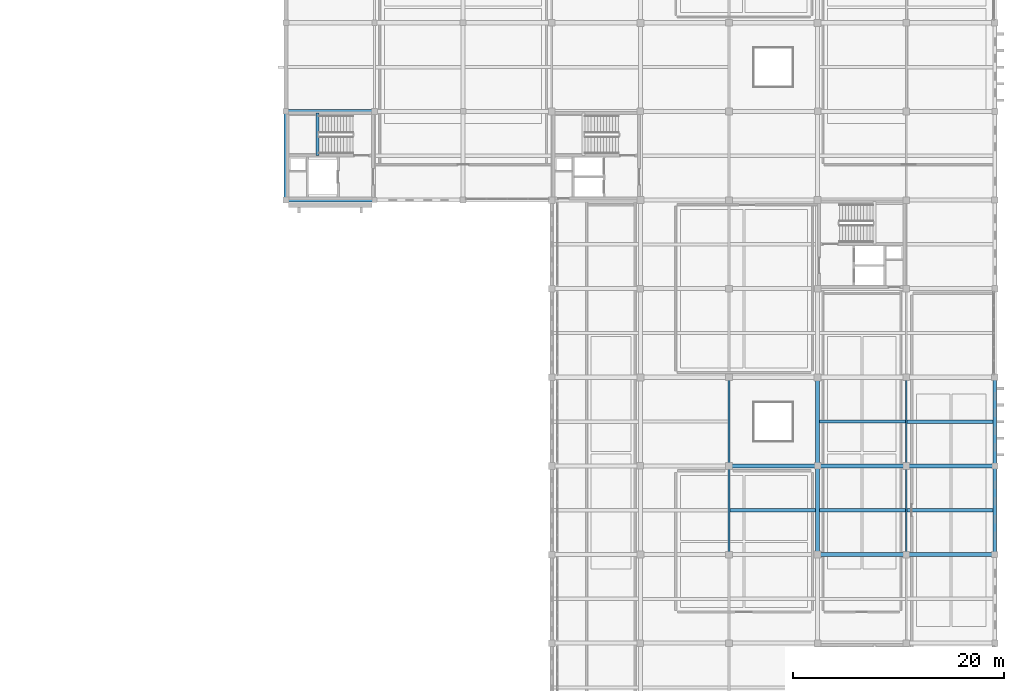
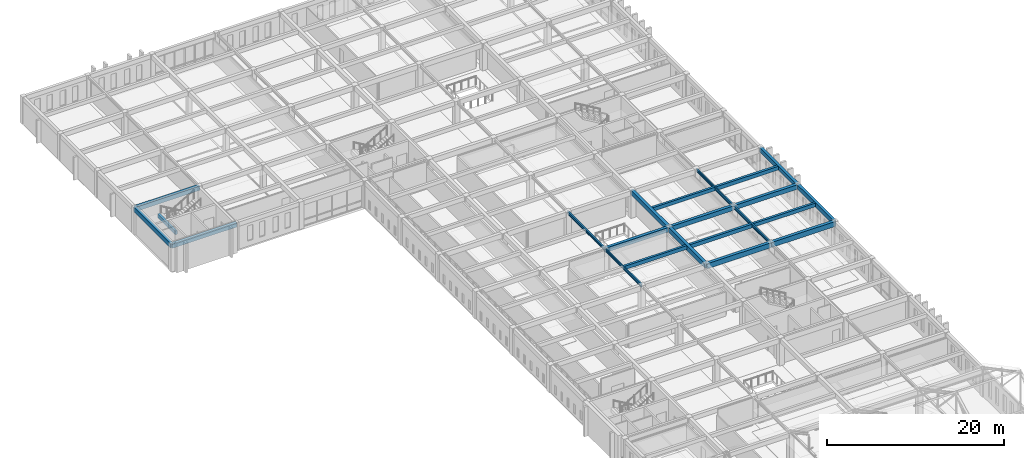
# One storey, part 14 of 47: 22 beams.
"""IFC4 building model written with IfcOpenShell, lengths in metres."""

from ifc_helpers import new_model, si_unit, direction, frame, origin, origin_2d, place, context, subcontext, project, spatial, rectangle, i_section, extrude, material, material_profile, profile_set, type_object, element, save


model = new_model("IFC4")

# Units and contexts
model_context = context("Model", 3, precision=1e-05, world=origin(), true_north=direction((0.0, 1.0)))
body_context = subcontext(model_context, "Body", "Model", "MODEL_VIEW")
ifc_project = project(units=[si_unit("LENGTHUNIT", "METRE"), si_unit("AREAUNIT", "SQUARE_METRE"), si_unit("VOLUMEUNIT", "CUBIC_METRE"), si_unit("PLANEANGLEUNIT", "RADIAN"), si_unit("MASSUNIT", "GRAM", prefix="KILO")], contexts=[model_context])

# Site, building, storey
site_placement = place(None, origin())
site = spatial("IfcSite", under=ifc_project, at=site_placement, CompositionType="ELEMENT")
building_placement = place(site_placement, origin())
building = spatial("IfcBuilding", under=site, at=building_placement, Name="Kveldsbrygga Polytechnic", CompositionType="ELEMENT")
storey_placement = place(building_placement, frame((0.0, 0.0, 13.93994140625)))
storey = spatial("IfcBuildingStorey", under=building, at=storey_placement, Name="L03", CompositionType="ELEMENT", Elevation=13.93994140625)

# Beams
ifc_material_1 = material(Name="Concrete C35/45", Category="concrete")
ifc_material_profile_1 = material_profile(ifc_material_1, rectangle(XDim=0.3798828125, YDim=0.6201171875, at=origin_2d()), Name="RC 380x620")
ifc_profile_set_1 = profile_set([ifc_material_profile_1], Name="Concrete C35/45")
beam_type_1 = type_object("IfcBeamType", Name="BM-RC-380x620", PredefinedType="BEAM", material=ifc_profile_set_1)
beam_1_placement = place(storey_placement, frame((142.800048828125, 58.800048828125, 3.43994140625), z_axis=(1.0, 0.0, 0.0), x_axis=(0.0, 1.0, 0.0)))
element("IfcBeam", 1, at=beam_1_placement, inside=storey, type_object=beam_type_1, Name="Primary Beam BMX-L03-17to18-07", PredefinedType="BEAM", context=body_context, shape_type="SweptSolid", body=[
    extrude(rectangle(XDim=0.3798828125, YDim=0.6201171875, at=origin_2d()), origin(), (0.0, 0.0, 1.0), 8.39990234375),
])
beam_2_placement = place(storey_placement, frame((151.199951171875, 58.800048828125, 3.43994140625), z_axis=(1.0, 0.0, 0.0), x_axis=(0.0, 1.0, 0.0)))
element("IfcBeam", 2, at=beam_2_placement, inside=storey, type_object=beam_type_1, Name="Primary Beam BMX-L03-18to19-07", PredefinedType="BEAM", context=body_context, shape_type="SweptSolid", body=[
    extrude(rectangle(XDim=0.3798828125, YDim=0.6201171875, at=origin_2d()), origin(), (0.0, 0.0, 1.0), 8.400146484375),
])
for number, where, z_axis, x_axis, name in (
    (3, (159.60009765625, 58.800048828125, 3.43994140625), (1.0, 0.0, 0.0), (0.0, 1.0, 0.0), "Primary Beam BMX-L03-19to20-07"),
    (4, (100.800048828125, 92.39990234375, 3.43994140625), (1.0, 0.0, 0.0), (0.0, 1.0, 0.0), "Primary Beam BMX-L03-12to13-11"),
):
    element("IfcBeam", number, at=place(storey_placement, frame(where, z_axis=z_axis, x_axis=x_axis)), inside=storey, type_object=beam_type_1, Name=name, PredefinedType="BEAM", context=body_context, shape_type="SweptSolid", body=[
        extrude(rectangle(XDim=0.3798828125, YDim=0.6201171875, at=origin_2d()), origin(), (0.0, 0.0, 1.0), 8.39990234375),
    ])
ifc_material_profile_2 = material_profile(ifc_material_1, rectangle(XDim=0.39990234375, YDim=0.64990234375, at=origin_2d()), Name="RC 400x650")
ifc_profile_set_2 = profile_set([ifc_material_profile_2], Name="Concrete C35/45")
beam_type_2 = type_object("IfcBeamType", Name="BM-RC-400x650", PredefinedType="BEAM", material=ifc_profile_set_2)
beam_3_placement = place(storey_placement, frame((151.199951171875, 50.39990234375, 3.425048828125), z_axis=(0.0, 1.0, 0.0), x_axis=(-1.0, 0.0, 0.0)))
element("IfcBeam", 5, at=beam_3_placement, inside=storey, type_object=beam_type_2, Name="Primary Beam BMY-L03-18-06to07", PredefinedType="BEAM", context=body_context, shape_type="SweptSolid", body=[
    extrude(rectangle(XDim=0.39990234375, YDim=0.64990234375, at=origin_2d()), origin(), (0.0, 0.0, 1.0), 8.400146484375),
])
beam_4_placement = place(storey_placement, frame((151.199951171875, 58.800048828125, 3.425048828125), z_axis=(0.0, 1.0, 0.0), x_axis=(-1.0, 0.0, 0.0)))
element("IfcBeam", 6, at=beam_4_placement, inside=storey, type_object=beam_type_2, Name="Primary Beam BMY-L03-18-07to08", PredefinedType="BEAM", context=body_context, shape_type="SweptSolid", body=[
    extrude(rectangle(XDim=0.39990234375, YDim=0.64990234375, at=origin_2d()), origin(), (0.0, 0.0, 1.0), 8.39990234375),
])
ifc_material_profile_3 = material_profile(ifc_material_1, rectangle(XDim=0.39990234375, YDim=0.699951171875, at=origin_2d()), Name="RC 400x700")
ifc_profile_set_3 = profile_set([ifc_material_profile_3], Name="Concrete C35/45")
beam_type_3 = type_object("IfcBeamType", Name="BM-RC-400x700", PredefinedType="BEAM", material=ifc_profile_set_3)
beam_5_placement = place(storey_placement, frame((151.199951171875, 50.39990234375, 3.400146484375), z_axis=(1.0, 0.0, 0.0), x_axis=(0.0, 1.0, 0.0)))
element("IfcBeam", 7, at=beam_5_placement, inside=storey, type_object=beam_type_3, Name="Primary Beam BMX-L03-18to19-06", PredefinedType="BEAM", context=body_context, shape_type="SweptSolid", body=[
    extrude(rectangle(XDim=0.39990234375, YDim=0.699951171875, at=origin_2d()), origin(), (0.0, 0.0, 1.0), 8.400146484375),
])
beam_6_placement = place(storey_placement, frame((159.60009765625, 50.39990234375, 3.400146484375), z_axis=(1.0, 0.0, 0.0), x_axis=(0.0, 1.0, 0.0)))
element("IfcBeam", 8, at=beam_6_placement, inside=storey, type_object=beam_type_3, Name="Primary Beam BMX-L03-19to20-06", PredefinedType="BEAM", context=body_context, shape_type="SweptSolid", body=[
    extrude(rectangle(XDim=0.39990234375, YDim=0.699951171875, at=origin_2d()), origin(), (0.0, 0.0, 1.0), 8.39990234375),
])
ifc_material_profile_4 = material_profile(ifc_material_1, rectangle(XDim=0.35009765625, YDim=0.60009765625, at=origin_2d()), Name="RC 350x600")
ifc_profile_set_4 = profile_set([ifc_material_profile_4], Name="Concrete C35/45")
beam_type_4 = type_object("IfcBeamType", Name="BM-SPANDREL-600", PredefinedType="T_BEAM", material=ifc_profile_set_4)
for number, where, z_axis, x_axis, name in (
    (9, (100.800048828125, 84.0, 3.449951171875), (1.0, 0.0, 0.0), (0.0, 1.0, 0.0), "Primary Beam BMX-L03-12to13-10"),
    (10, (100.800048828125, 84.0, 3.449951171875), (0.0, 1.0, 0.0), (-1.0, 0.0, 0.0), "Primary Beam BMY-L03-12-10to11"),
):
    element("IfcBeam", number, at=place(storey_placement, frame(where, z_axis=z_axis, x_axis=x_axis)), inside=storey, type_object=beam_type_4, Name=name, PredefinedType="T_BEAM", context=body_context, shape_type="SweptSolid", body=[
        extrude(rectangle(XDim=0.35009765625, YDim=0.60009765625, at=origin_2d()), origin(), (0.0, 0.0, 1.0), 8.39990234375),
    ])
beam_7_placement = place(storey_placement, frame((168.0, 50.39990234375, 3.449951171875), z_axis=(0.0, 1.0, 0.0), x_axis=(-1.0, 0.0, 0.0)))
element("IfcBeam", 11, at=beam_7_placement, inside=storey, type_object=beam_type_4, Name="Primary Beam BMY-L03-20-06to07", PredefinedType="T_BEAM", context=body_context, shape_type="SweptSolid", body=[
    extrude(rectangle(XDim=0.35009765625, YDim=0.60009765625, at=origin_2d()), origin(), (0.0, 0.0, 1.0), 8.400146484375),
])
beam_8_placement = place(storey_placement, frame((168.0, 58.800048828125, 3.449951171875), z_axis=(0.0, 1.0, 0.0), x_axis=(-1.0, 0.0, 0.0)))
element("IfcBeam", 12, at=beam_8_placement, inside=storey, type_object=beam_type_4, Name="Primary Beam BMY-L03-20-07to08", PredefinedType="T_BEAM", context=body_context, shape_type="SweptSolid", body=[
    extrude(rectangle(XDim=0.35009765625, YDim=0.60009765625, at=origin_2d()), origin(), (0.0, 0.0, 1.0), 8.39990234375),
])
ifc_material_2 = material(Name="Steel S355", Category="steel")
ifc_material_profile_5 = material_profile(ifc_material_2, i_section(OverallWidth=0.179931640625, OverallDepth=0.39990234375, WebThickness=0.008544921875, FlangeThickness=0.013427734375, FilletRadius=0.02099609375, at=origin_2d()), Name="IPE 400")
ifc_profile_set_5 = profile_set([ifc_material_profile_5], Name="Steel S355")
beam_type_5 = type_object("IfcBeamType", Name="BM-STL-IPE400", PredefinedType="BEAM", material=ifc_profile_set_5)
beam_9_placement = place(storey_placement, frame((142.800048828125, 50.39990234375, 3.550048828125), z_axis=(0.0, 1.0, 0.0), x_axis=(-1.0, 0.0, 0.0)))
element("IfcBeam", 13, at=beam_9_placement, inside=storey, type_object=beam_type_5, Name="Primary Beam BMY-L03-17-06to07", PredefinedType="BEAM", context=body_context, shape_type="SweptSolid", body=[
    extrude(i_section(OverallWidth=0.179931640625, OverallDepth=0.39990234375, WebThickness=0.008544921875, FlangeThickness=0.013427734375, FilletRadius=0.02099609375, at=origin_2d()), origin(), (0.0, 0.0, 1.0), 8.400146484375),
])
beam_10_placement = place(storey_placement, frame((142.800048828125, 58.800048828125, 3.550048828125), z_axis=(0.0, 1.0, 0.0), x_axis=(-1.0, 0.0, 0.0)))
element("IfcBeam", 14, at=beam_10_placement, inside=storey, type_object=beam_type_5, Name="Primary Beam BMY-L03-17-07to08", PredefinedType="BEAM", context=body_context, shape_type="SweptSolid", body=[
    extrude(i_section(OverallWidth=0.179931640625, OverallDepth=0.39990234375, WebThickness=0.008544921875, FlangeThickness=0.013427734375, FilletRadius=0.02099609375, at=origin_2d()), origin(), (0.0, 0.0, 1.0), 8.39990234375),
])
beam_11_placement = place(storey_placement, frame((159.60009765625, 50.39990234375, 3.550048828125), z_axis=(0.0, 1.0, 0.0), x_axis=(-1.0, 0.0, 0.0)))
element("IfcBeam", 15, at=beam_11_placement, inside=storey, type_object=beam_type_5, Name="Primary Beam BMY-L03-19-06to07", PredefinedType="BEAM", context=body_context, shape_type="SweptSolid", body=[
    extrude(i_section(OverallWidth=0.179931640625, OverallDepth=0.39990234375, WebThickness=0.008544921875, FlangeThickness=0.013427734375, FilletRadius=0.02099609375, at=origin_2d()), origin(), (0.0, 0.0, 1.0), 8.400146484375),
])
beam_12_placement = place(storey_placement, frame((159.60009765625, 58.800048828125, 3.550048828125), z_axis=(0.0, 1.0, 0.0), x_axis=(-1.0, 0.0, 0.0)))
element("IfcBeam", 16, at=beam_12_placement, inside=storey, type_object=beam_type_5, Name="Primary Beam BMY-L03-19-07to08", PredefinedType="BEAM", context=body_context, shape_type="SweptSolid", body=[
    extrude(i_section(OverallWidth=0.179931640625, OverallDepth=0.39990234375, WebThickness=0.008544921875, FlangeThickness=0.013427734375, FilletRadius=0.02099609375, at=origin_2d()), origin(), (0.0, 0.0, 1.0), 8.39990234375),
])
ifc_material_profile_6 = material_profile(ifc_material_1, rectangle(XDim=0.300048828125, YDim=0.5, at=origin_2d()), Name="RC 300x500")
ifc_profile_set_6 = profile_set([ifc_material_profile_6], Name="Concrete C35/45")
beam_type_6 = type_object("IfcBeamType", Name="JST-RC-300x500", PredefinedType="JOIST", material=ifc_profile_set_6)
for number, where, z_axis, x_axis, name in (
    (17, (142.889892578125, 54.60009765625, 3.5), (1.0, 0.0, 0.0), (0.0, 1.0, 0.0), "Secondary Joist JST-L03-17-06"),
    (18, (151.39990234375, 63.0, 3.5), (1.0, 0.0, 0.0), (0.0, 1.0, 0.0), "Secondary Joist JST-L03-18-07"),
):
    element("IfcBeam", number, at=place(storey_placement, frame(where, z_axis=z_axis, x_axis=x_axis)), inside=storey, type_object=beam_type_6, Name=name, PredefinedType="JOIST", context=body_context, shape_type="SweptSolid", body=[
        extrude(rectangle(XDim=0.300048828125, YDim=0.5, at=origin_2d()), origin(), (0.0, 0.0, 1.0), 8.110107421875),
    ])
beam_13_placement = place(storey_placement, frame((159.68994140625, 54.60009765625, 3.5), z_axis=(1.0, 0.0, 0.0), x_axis=(0.0, 1.0, 0.0)))
element("IfcBeam", 19, at=beam_13_placement, inside=storey, type_object=beam_type_6, Name="Secondary Joist JST-L03-19-06", PredefinedType="JOIST", context=body_context, shape_type="SweptSolid", body=[
    extrude(rectangle(XDim=0.300048828125, YDim=0.5, at=origin_2d()), origin(), (0.0, 0.0, 1.0), 8.135009765625),
])
ifc_material_profile_7 = material_profile(ifc_material_1, rectangle(XDim=0.320068359375, YDim=0.52001953125, at=origin_2d()), Name="RC 320x520")
ifc_profile_set_7 = profile_set([ifc_material_profile_7], Name="Concrete C35/45")
beam_type_7 = type_object("IfcBeamType", Name="JST-RC-320x520", PredefinedType="JOIST", material=ifc_profile_set_7)
beam_14_placement = place(storey_placement, frame((151.39990234375, 54.60009765625, 3.489990234375), z_axis=(1.0, 0.0, 0.0), x_axis=(0.0, 1.0, 0.0)))
element("IfcBeam", 20, at=beam_14_placement, inside=storey, type_object=beam_type_7, Name="Secondary Joist JST-L03-18-06", PredefinedType="JOIST", context=body_context, shape_type="SweptSolid", body=[
    extrude(rectangle(XDim=0.320068359375, YDim=0.52001953125, at=origin_2d()), origin(), (0.0, 0.0, 1.0), 8.110107421875),
])
beam_15_placement = place(storey_placement, frame((159.68994140625, 63.0, 3.489990234375), z_axis=(1.0, 0.0, 0.0), x_axis=(0.0, 1.0, 0.0)))
element("IfcBeam", 21, at=beam_15_placement, inside=storey, type_object=beam_type_7, Name="Secondary Joist JST-L03-19-07", PredefinedType="JOIST", context=body_context, shape_type="SweptSolid", body=[
    extrude(rectangle(XDim=0.320068359375, YDim=0.52001953125, at=origin_2d()), origin(), (0.0, 0.0, 1.0), 8.135009765625),
])
ifc_material_profile_8 = material_profile(ifc_material_1, rectangle(XDim=0.300048828125, YDim=0.5, at=origin_2d()), Name="RC 300x500")
ifc_profile_set_8 = profile_set([ifc_material_profile_8], Name="Concrete C35/45")
beam_type_8 = type_object("IfcBeamType", Name="LNT-RC-300x500", PredefinedType="LINTEL", material=ifc_profile_set_8)
beam_16_placement = place(storey_placement, frame((103.81005859375, 88.22998046875, 1.590087890625), z_axis=(0.0, 1.0, 0.0), x_axis=(-1.0, 0.0, 0.0)))
element("IfcBeam", 22, at=beam_16_placement, inside=storey, type_object=beam_type_8, Name="Stair Landing Support Beam C5-L03-LNDB-1-1", PredefinedType="LINTEL", context=body_context, shape_type="SweptSolid", body=[
    extrude(rectangle(XDim=0.300048828125, YDim=0.5, at=origin_2d()), origin(), (0.0, 0.0, 1.0), 4.02001953125),
])

save(model, "model.ifc")
